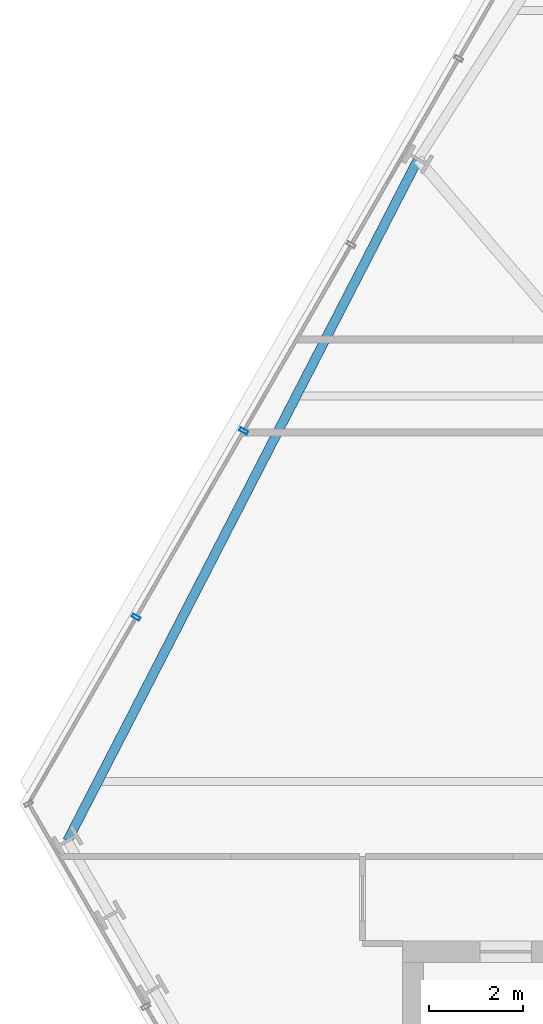
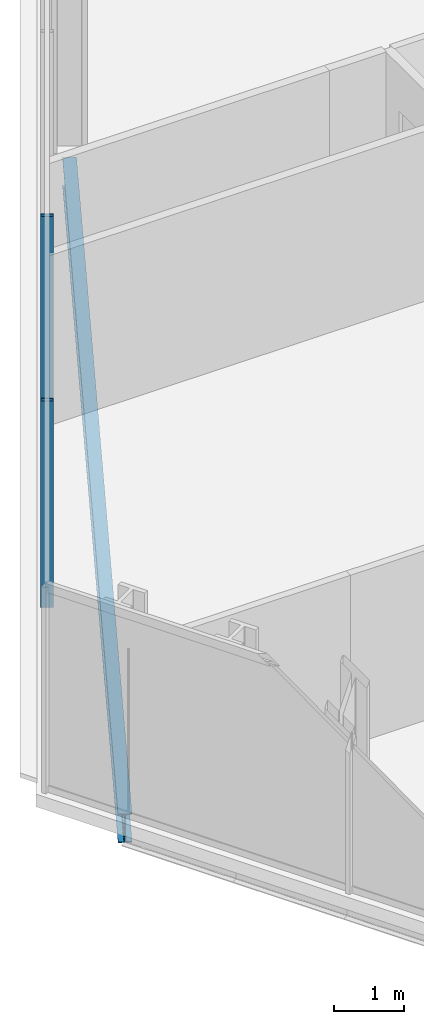
# One storey, part 11 of 32: 2 members, 1 beam, 1 element without a shape of its own.
"""IFC4 building model written with IfcOpenShell, lengths in metres."""

import ifcopenshell
import ifcopenshell.guid

model = None  # the IFC model being written
_history = None  # IfcOwnerHistory: only IFC2X3 demands one
_inside = {}  # id of a spatial element -> (the spatial element, [elements in it])
_under = {}  # id of a project, library or spatial element -> (it, [spatial elements below it])
_declared = {}  # id of a project -> (the project, [libraries it declares])
_typed = {}  # id of a type object -> (the type object, [elements of that type])
_made_of = {}  # id of a material, layer set ... -> (it, [elements and type objects made of it])


def new_model(schema):
    """Start an empty IFC model of exactly this schema.

    Asked for "IFC4X3", IfcOpenShell would pick the latest addendum, in which some entities
    have other attributes; the version numbers below select the first issue.
    IFC2X3 requires an IfcOwnerHistory on every rooted entity: one is made here for all.
    """
    global model, _history
    if schema == "IFC4X3":
        model = ifcopenshell.file(schema_version=(4, 3, 0, 0))
    else:
        model = ifcopenshell.file(schema=schema)
    _inside.clear()
    _under.clear()
    _declared.clear()
    _typed.clear()
    _made_of.clear()
    _history = None
    if model.schema == "IFC2X3":
        org = make("IfcOrganization", Name="unknown")
        user = make(
            "IfcPersonAndOrganization",
            ThePerson=make("IfcPerson", FamilyName="unknown"),
            TheOrganization=org,
        )
        app = make(
            "IfcApplication",
            ApplicationDeveloper=org,
            Version="unknown",
            ApplicationFullName="unknown",
            ApplicationIdentifier="unknown",
        )
        _history = make(
            "IfcOwnerHistory",
            OwningUser=user,
            OwningApplication=app,
            ChangeAction="ADDED",
            CreationDate=0,
        )
    return model


def make(cls, **values):
    """One entity of the class cls with the attributes given. An attribute that is None is left unset."""
    return model.create_entity(
        cls, **{name: value for name, value in values.items() if value is not None}
    )


def rooted(cls, **values):
    """An entity with a GlobalId (a new one), such as an element, a storey or a relation."""
    return make(cls, GlobalId=ifcopenshell.guid.new(), OwnerHistory=_history, **values)


def si_unit(unit_type, name, prefix=None):
    """IfcSIUnit, for example si_unit("LENGTHUNIT", "METRE", prefix="MILLI")."""
    return make("IfcSIUnit", UnitType=unit_type, Prefix=prefix, Name=name)


def assignment(units):
    """IfcUnitAssignment: the units of a project."""
    return None if units is None else make("IfcUnitAssignment", Units=units)


def point(xyz):
    """IfcCartesianPoint."""
    return None if xyz is None else make("IfcCartesianPoint", Coordinates=xyz)


def direction(xyz):
    """IfcDirection."""
    return None if xyz is None else make("IfcDirection", DirectionRatios=xyz)


def frame(location, z_axis=None, x_axis=None):
    """IfcAxis2Placement3D, a coordinate frame: its origin and axes. An axis left out is left unset."""
    return make(
        "IfcAxis2Placement3D",
        Location=point(location),
        Axis=direction(z_axis),
        RefDirection=direction(x_axis),
    )


def frame_2d(location, x_axis=None):
    """IfcAxis2Placement2D, a coordinate frame in the plane: its origin and x axis."""
    return make(
        "IfcAxis2Placement2D", Location=point(location), RefDirection=direction(x_axis)
    )


def origin():
    """The frame at (0, 0, 0) with its axes left unset."""
    return frame((0.0, 0.0, 0.0))


def origin_2d():
    """The frame at (0, 0) in the plane with its x axis left unset."""
    return frame_2d((0.0, 0.0))


def place(relative_to, where):
    """IfcLocalPlacement: puts the frame where relative to a parent placement (None: the world)."""
    return make(
        "IfcLocalPlacement", PlacementRelTo=relative_to, RelativePlacement=where
    )


def context(
    kind, dimensions, precision=None, world=None, true_north=None, identifier=None
):
    """IfcGeometricRepresentationContext, for example the 3D "Model" context."""
    return make(
        "IfcGeometricRepresentationContext",
        ContextIdentifier=identifier,
        ContextType=kind,
        CoordinateSpaceDimension=dimensions,
        Precision=precision,
        WorldCoordinateSystem=world,
        TrueNorth=true_north,
    )


def subcontext(parent, identifier, kind, view, scale=None):
    """IfcGeometricRepresentationSubContext, for example "Body" below "Model"."""
    return make(
        "IfcGeometricRepresentationSubContext",
        ContextIdentifier=identifier,
        ContextType=kind,
        ParentContext=parent,
        TargetScale=scale,
        TargetView=view,
    )


def project(units=None, contexts=None):
    """IfcProject with its units and contexts."""
    return rooted(
        "IfcProject",
        Name="project",
        RepresentationContexts=contexts,
        UnitsInContext=assignment(units),
    )


def spatial(cls, under=None, at=None, **own):
    """A site, building, storey or space (cls), placed at a placement, below another one or the project."""
    s = rooted(cls, ObjectPlacement=at, **own)
    if under is not None:
        _under.setdefault(under.id(), (under, []))[1].append(s)
    return s


def profile(cls, at=None, kind="AREA", **sizes):
    """A parametric profile (cls). Its sizes go by their IFC names, for example OverallWidth=200.0."""
    return make(cls, ProfileType=kind, Position=at, **sizes)


def hollow_rectangle(**sizes):
    """IfcRectangleHollowProfileDef."""
    return profile("IfcRectangleHollowProfileDef", **sizes)


def i_section(**sizes):
    """IfcIShapeProfileDef."""
    return profile("IfcIShapeProfileDef", **sizes)


def extrude(swept, where, along, depth):
    """IfcExtrudedAreaSolid: the profile swept, set in the frame where, extruded along a direction by depth."""
    return make(
        "IfcExtrudedAreaSolid",
        SweptArea=swept,
        Position=where,
        ExtrudedDirection=direction(along),
        Depth=depth,
    )


def shape(context_of_items, identifier, shape_type, items):
    """IfcShapeRepresentation: the items that make up one representation, for example the "Body"."""
    return make(
        "IfcShapeRepresentation",
        ContextOfItems=context_of_items,
        RepresentationIdentifier=identifier,
        RepresentationType=shape_type,
        Items=items,
    )


def material(Name=None, Category=None):
    """IfcMaterial."""
    return make("IfcMaterial", Name=Name, Category=Category)


def layer(
    of_material, thickness, ventilated=None, Name=None, Category=None, Priority=None
):
    """IfcMaterialLayer: one layer of a wall or slab, of a material (None: an air gap)."""
    return make(
        "IfcMaterialLayer",
        Material=of_material,
        LayerThickness=thickness,
        IsVentilated=ventilated,
        Name=Name,
        Category=Category,
        Priority=Priority,
    )


def layer_set(layers, Name=None):
    """IfcMaterialLayerSet."""
    return make("IfcMaterialLayerSet", MaterialLayers=layers, LayerSetName=Name)


def material_profile(
    of_material, cross_section, Name=None, Category=None, Priority=None
):
    """IfcMaterialProfile: a cross section and its material."""
    return make(
        "IfcMaterialProfile",
        Name=Name,
        Material=of_material,
        Profile=cross_section,
        Priority=Priority,
        Category=Category,
    )


def profile_set(profiles, Name=None, composite=None):
    """IfcMaterialProfileSet."""
    return make(
        "IfcMaterialProfileSet",
        Name=Name,
        MaterialProfiles=profiles,
        CompositeProfile=composite,
    )


def made_of(thing, what):
    """Note that an element or type object is made of a material, layer set ...; save() writes the relation."""
    if what is not None:
        _made_of.setdefault(what.id(), (what, []))[1].append(thing)
    return thing


def type_object(cls, material=None, **own):
    """A type object (cls), such as IfcWallType, which elements share."""
    return made_of(rooted(cls, **own), material)


def element(
    cls,
    number,
    at=None,
    inside=None,
    cuts=None,
    type_object=None,
    material=None,
    context=None,
    identifier="Body",
    shape_type=None,
    held_by="IfcProductDefinitionShape",
    body=None,
    shapes=None,
    **own,
):
    """One element of the class cls, such as IfcWall. Its Tag is "e" and its number.

    at: its placement. inside: the storey or other place that contains it. cuts: it is an
    opening in that element (IfcRelVoidsElement). A single representation is given by context,
    identifier, shape_type and body (its items); several are given by shapes. held_by: the class
    of the entity that holds the representations. save() writes the other relations.
    """
    e = rooted(cls, Tag="e%d" % number, ObjectPlacement=at, **own)
    if body is not None:
        shapes = [shape(context, identifier, shape_type, body)]
    if shapes is not None:
        e.Representation = make(held_by, Representations=shapes)
    if inside is not None:
        _inside.setdefault(inside.id(), (inside, []))[1].append(e)
    if cuts is not None:
        rooted(
            "IfcRelVoidsElement", RelatingBuildingElement=cuts, RelatedOpeningElement=e
        )
    if type_object is not None:
        _typed.setdefault(type_object.id(), (type_object, []))[1].append(e)
    return made_of(e, material)


def aggregate(whole, parts):
    """IfcRelAggregates: a whole, such as a stair, and the parts it consists of."""
    return rooted("IfcRelAggregates", RelatingObject=whole, RelatedObjects=parts)


def save(model, path):
    """Write the relations noted so far, then the file.

    IfcRelAggregates (storeys below a building ...), IfcRelContainedInSpatialStructure (elements
    in a storey), IfcRelDefinesByType, IfcRelAssociatesMaterial and IfcRelDeclares: one each for
    every whole, place, type object, material and project.
    """
    for whole, parts in _under.values():
        aggregate(whole, parts)
    for where, things in _inside.values():
        rooted(
            "IfcRelContainedInSpatialStructure",
            RelatedElements=things,
            RelatingStructure=where,
        )
    for kind, things in _typed.values():
        rooted("IfcRelDefinesByType", RelatedObjects=things, RelatingType=kind)
    for what, things in _made_of.values():
        rooted("IfcRelAssociatesMaterial", RelatedObjects=things, RelatingMaterial=what)
    for by, libraries in _declared.values():
        rooted("IfcRelDeclares", RelatingContext=by, RelatedDefinitions=libraries)
    model.write(path)


model = new_model("IFC4")

# Units and contexts
model_context = context("Model", 3, precision=1e-05, world=origin(), true_north=direction((0.0, 1.0)))
body_context = subcontext(model_context, "Body", "Model", "MODEL_VIEW")
ifc_project = project(units=[si_unit("LENGTHUNIT", "METRE"), si_unit("AREAUNIT", "SQUARE_METRE"), si_unit("VOLUMEUNIT", "CUBIC_METRE"), si_unit("PLANEANGLEUNIT", "RADIAN"), si_unit("MASSUNIT", "GRAM", prefix="KILO")], contexts=[model_context])

# Site, building, storey
site_placement = place(None, origin())
site = spatial("IfcSite", under=ifc_project, at=site_placement, CompositionType="ELEMENT")
building_placement = place(site_placement, origin())
building = spatial("IfcBuilding", under=site, at=building_placement, Name="Ndaravel Arena Tower", CompositionType="ELEMENT")
storey_placement = place(building_placement, frame((0.0, 0.0, 70.199951171875)))
storey = spatial("IfcBuildingStorey", under=building, at=storey_placement, Name="L15", CompositionType="ELEMENT", Elevation=70.199951171875)

# Beam
ifc_material_1 = material(Name="Steel S355", Category="steel")
ifc_material_profile_1 = material_profile(ifc_material_1, i_section(OverallWidth=0.199951171875, OverallDepth=0.5, WebThickness=0.01025390625, FlangeThickness=0.01611328125, FilletRadius=0.02099609375, at=origin_2d()), Name="IPE 500")
ifc_profile_set_1 = profile_set([ifc_material_profile_1], Name="Steel S355")
beam_type = type_object("IfcBeamType", Name="BM-SPAN-IPE500", PredefinedType="SPANDREL", material=ifc_profile_set_1)
beam_placement = place(storey_placement, frame((26.783203125, 31.836181640625, -0.469970703125), z_axis=(-0.457437664156, -0.8892416901, 0.0), x_axis=(0.8892416901, -0.457437664156, 0.0)))
element("IfcBeam", 1, at=beam_placement, inside=storey, type_object=beam_type, Name="L15 Perimeter Spandrel Beam SP-19", PredefinedType="SPANDREL", context=body_context, shape_type="SweptSolid", body=[
    extrude(i_section(OverallWidth=0.199951171875, OverallDepth=0.5, WebThickness=0.01025390625, FlangeThickness=0.01611328125, FilletRadius=0.02099609375, at=origin_2d()), origin(), (0.0, 0.0, 1.0), 16.305419921875),
])

# Curtain wall, members
ifc_material_2 = material(Name="Aluminium", Category="aluminium")
ifc_layer = layer(ifc_material_2, 0.179931640625)
ifc_layer_set = layer_set([ifc_layer], Name="Aluminium")
curtain_wall_type = type_object("IfcCurtainWallType", Name="CW-SYS-03", PredefinedType="NOTDEFINED", material=ifc_layer_set)
curtain_wall_placement = place(storey_placement, origin())
curtain_wall = element("IfcCurtainWall", 2, at=curtain_wall_placement, inside=storey, type_object=curtain_wall_type, Name="L15 Faceted Crystal Curtain Wall CW-L15-E05", PredefinedType="NOTDEFINED")
ifc_material_3 = material(Name="Aluminium", Category="aluminium")
ifc_material_profile_2 = material_profile(ifc_material_3, hollow_rectangle(XDim=0.074951171875, YDim=0.179931640625, WallThickness=0.00390625, at=origin_2d()), Name="CW MULLION 75x180x4")
ifc_profile_set_2 = profile_set([ifc_material_profile_2], Name="Aluminium")
member_type = type_object("IfcMemberType", Name="MEM-CW-MUL180", PredefinedType="MULLION", material=ifc_profile_set_2)
member_1_placement = place(storey_placement, frame((23.07421875, 26.052490234375, 0.0), z_axis=(0.0, 0.0, 1.0), x_axis=(-0.5, -0.866025403784, 0.0)))
member_1 = element("IfcMember", 3, at=member_1_placement, type_object=member_type, Name="CW-L15-E05 Mullion 05", PredefinedType="MULLION", context=body_context, shape_type="SweptSolid", body=[
    extrude(hollow_rectangle(XDim=0.074951171875, YDim=0.179931640625, WallThickness=0.00390625, at=origin_2d()), origin(), (0.0, 0.0, 1.0), 3.580078125),
])
member_2_placement = place(storey_placement, frame((20.786376953125, 22.089599609375, 0.0), z_axis=(0.0, 0.0, 1.0), x_axis=(-0.5, -0.866025403784, 0.0)))
member_2 = element("IfcMember", 4, at=member_2_placement, type_object=member_type, Name="CW-L15-E05 Mullion 06", PredefinedType="MULLION", context=body_context, shape_type="SweptSolid", body=[
    extrude(hollow_rectangle(XDim=0.074951171875, YDim=0.179931640625, WallThickness=0.00390625, at=origin_2d()), origin(), (0.0, 0.0, 1.0), 3.580078125),
])
aggregate(curtain_wall, [member_1, member_2])

save(model, "model.ifc")
